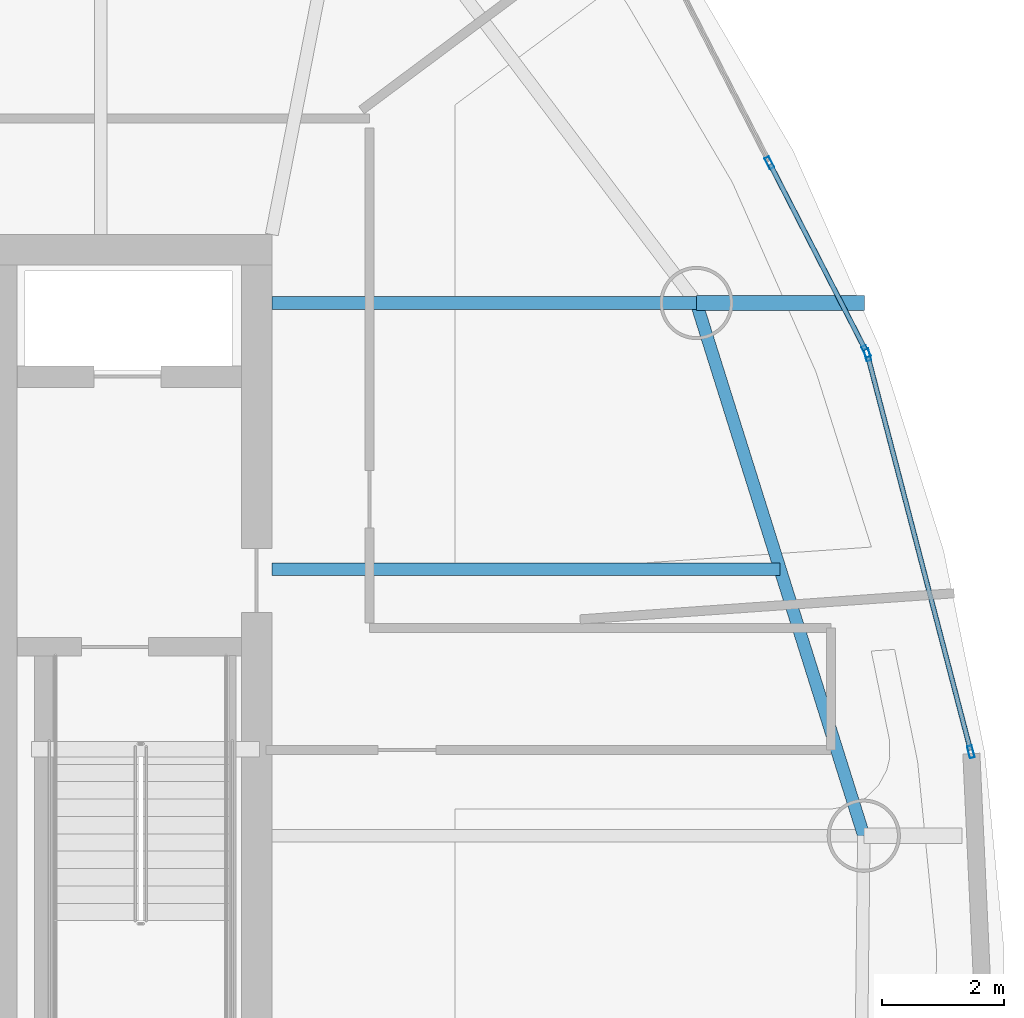
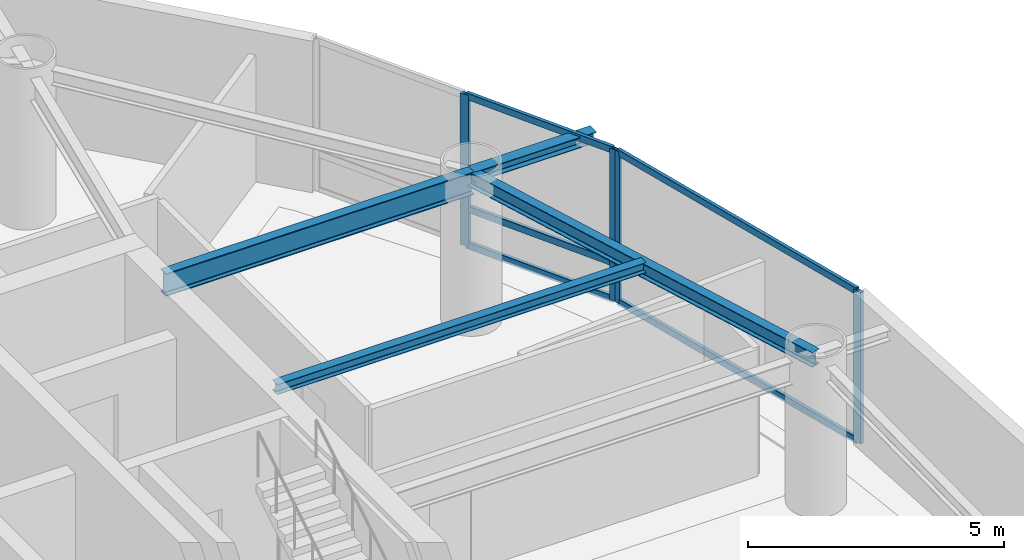
# One storey, part 10 of 23: 9 members, 4 beams, 2 elements without a shape of their own.
"""IFC4 building model written with IfcOpenShell, lengths in metres."""

from ifc_helpers import new_model, si_unit, direction, frame, origin, origin_2d, place, context, subcontext, project, spatial, hollow_rectangle, i_section, extrude, material, layer, layer_set, material_profile, profile_set, type_object, element, aggregate, save


model = new_model("IFC4")

# Units and contexts
model_context = context("Model", 3, precision=1e-05, world=origin(), true_north=direction((0.0, 1.0)))
body_context = subcontext(model_context, "Body", "Model", "MODEL_VIEW")
ifc_project = project(units=[si_unit("LENGTHUNIT", "METRE"), si_unit("AREAUNIT", "SQUARE_METRE"), si_unit("VOLUMEUNIT", "CUBIC_METRE"), si_unit("PLANEANGLEUNIT", "RADIAN"), si_unit("MASSUNIT", "GRAM", prefix="KILO")], contexts=[model_context])

# Site, building, storey
site_placement = place(None, origin())
site = spatial("IfcSite", under=ifc_project, at=site_placement, CompositionType="ELEMENT")
building_placement = place(site_placement, origin())
building = spatial("IfcBuilding", under=site, at=building_placement, Name="Bramvorn Convention Spire", CompositionType="ELEMENT")
storey_placement = place(building_placement, frame((0.0, 0.0, 194.300048828125)))
storey = spatial("IfcBuildingStorey", under=building, at=storey_placement, Name="L49", CompositionType="ELEMENT", Elevation=194.300048828125)

# Beams
ifc_material_1 = material(Name="Steel CSA G40.21 Grade 350 (350W)", Category="steel")
ifc_material_profile_1 = material_profile(ifc_material_1, i_section(OverallWidth=0.201904296875, OverallDepth=0.2470703125, WebThickness=0.00732421875, FlangeThickness=0.010986328125, FilletRadius=0.011962890625, at=origin_2d()))
ifc_profile_set_1 = profile_set([ifc_material_profile_1], Name="Steel CSA G40.21 Grade 350 (350W) - W250X49")
beam_type_1 = type_object("IfcBeamType", Name="BM-W250X49", PredefinedType="JOIST", material=ifc_profile_set_1)
beam_1_placement = place(storey_placement, frame((49.25, 27.960205078125, 3.496337890625), z_axis=(1.0, 0.0, 0.0), x_axis=(0.0, 1.0, 0.0)))
element("IfcBeam", 1, at=beam_1_placement, inside=storey, type_object=beam_type_1, Name="L49 composite floor joist 03", PredefinedType="JOIST", context=body_context, shape_type="SweptSolid", body=[
    extrude(i_section(OverallWidth=0.201904296875, OverallDepth=0.2470703125, WebThickness=0.00732421875, FlangeThickness=0.010986328125, FilletRadius=0.011962890625, at=origin_2d()), origin(), (0.0, 0.0, 1.0), 8.33251953125),
])
ifc_material_profile_2 = material_profile(ifc_material_1, i_section(OverallWidth=0.25390625, OverallDepth=0.2529296875, WebThickness=0.008544921875, FlangeThickness=0.01416015625, FilletRadius=0.011962890625, at=origin_2d()))
ifc_profile_set_2 = profile_set([ifc_material_profile_2], Name="Steel CSA G40.21 Grade 350 (350W) - W250X73")
beam_type_2 = type_object("IfcBeamType", Name="BM-W250X73", PredefinedType="BEAM", material=ifc_profile_set_2)
beam_2_placement = place(storey_placement, frame((56.21044921875, 32.327392578125, 3.493408203125), z_axis=(1.0, 0.0, 0.0), x_axis=(0.0, 1.0, 0.0)))
element("IfcBeam", 2, at=beam_2_placement, inside=storey, type_object=beam_type_2, Name="L49 slab-edge cantilever tip beam MC04", PredefinedType="BEAM", context=body_context, shape_type="SweptSolid", body=[
    extrude(i_section(OverallWidth=0.25390625, OverallDepth=0.2529296875, WebThickness=0.008544921875, FlangeThickness=0.01416015625, FilletRadius=0.011962890625, at=origin_2d()), origin(), (0.0, 0.0, 1.0), 2.75927734375),
])
ifc_material_profile_3 = material_profile(ifc_material_1, i_section(OverallWidth=0.205078125, OverallDepth=0.35400390625, WebThickness=0.009521484375, FlangeThickness=0.016845703125, FilletRadius=0.014892578125, at=origin_2d()))
ifc_profile_set_3 = profile_set([ifc_material_profile_3], Name="Steel CSA G40.21 Grade 350 (350W) - W360X79")
beam_type_3 = type_object("IfcBeamType", Name="BM-W360X79", PredefinedType="JOIST", material=ifc_profile_set_3)
beam_3_placement = place(storey_placement, frame((58.95458984375, 23.593505859375, 3.44287109375), z_axis=(-0.299747542929, 0.954018558786, 0.0), x_axis=(-0.954018558786, -0.299747542929, 0.0)))
element("IfcBeam", 3, at=beam_3_placement, inside=storey, type_object=beam_type_3, Name="L49 mega-column ring beam 03", PredefinedType="JOIST", context=body_context, shape_type="SweptSolid", body=[
    extrude(i_section(OverallWidth=0.205078125, OverallDepth=0.35400390625, WebThickness=0.009521484375, FlangeThickness=0.016845703125, FilletRadius=0.014892578125, at=origin_2d()), origin(), (0.0, 0.0, 1.0), 9.15478515625),
])
ifc_material_profile_4 = material_profile(ifc_material_1, i_section(OverallWidth=0.2119140625, OverallDepth=0.5439453125, WebThickness=0.01318359375, FlangeThickness=0.021240234375, FilletRadius=0.01904296875, at=origin_2d()))
ifc_profile_set_4 = profile_set([ifc_material_profile_4], Name="Steel CSA G40.21 Grade 350 (350W) - W530X123")
beam_type_4 = type_object("IfcBeamType", Name="BM-W530X123", PredefinedType="BEAM", material=ifc_profile_set_4)
beam_4_placement = place(storey_placement, frame((49.25, 32.327392578125, 3.347900390625), z_axis=(1.0, 0.0, 0.0), x_axis=(0.0, 1.0, 0.0)))
element("IfcBeam", 4, at=beam_4_placement, inside=storey, type_object=beam_type_4, Name="L49 radial floor girder MC04", PredefinedType="BEAM", context=body_context, shape_type="SweptSolid", body=[
    extrude(i_section(OverallWidth=0.2119140625, OverallDepth=0.5439453125, WebThickness=0.01318359375, FlangeThickness=0.021240234375, FilletRadius=0.01904296875, at=origin_2d()), origin(), (0.0, 0.0, 1.0), 6.96044921875),
])

# Curtain wall, members
ifc_material_2 = material(Name="Anodised Bronze Unitised Curtain Wall", Category="aluminium")
ifc_layer = layer(ifc_material_2, 0.179931640625)
ifc_layer_set = layer_set([ifc_layer], Name="Anodised Bronze Unitised Curtain Wall - CW-OFF-FRIT")
curtain_wall_type = type_object("IfcCurtainWallType", Name="CW-OFF-FRIT", PredefinedType="USERDEFINED", material=ifc_layer_set)
curtain_wall_1_placement = place(storey_placement, origin())
curtain_wall_1 = element("IfcCurtainWall", 5, at=curtain_wall_1_placement, inside=storey, type_object=curtain_wall_type, Name="L49 fritted glass curtain wall 04", ObjectType="UNITISED CURTAIN WALL", PredefinedType="USERDEFINED")
ifc_material_3 = material(Name="Anodised Bronze Aluminium 6063-T6", Category="aluminium")
ifc_material_profile_5 = material_profile(ifc_material_3, hollow_rectangle(XDim=0.080078125, YDim=0.199951171875, WallThickness=0.00390625, InnerFilletRadius=0.0009765625, OuterFilletRadius=0.00390625, at=origin_2d()))
ifc_profile_set_5 = profile_set([ifc_material_profile_5], Name="Anodised Bronze Aluminium 6063-T6 - CWM80X200")
member_type_1 = type_object("IfcMemberType", Name="CW-MUL-180", PredefinedType="MULLION", material=ifc_profile_set_5)
member_1_placement = place(storey_placement, frame((59.015380859375, 31.476318359375, 0.0), z_axis=(0.0, 0.0, 1.0), x_axis=(0.967719404067, 0.252030067635, 0.0)))
member_1 = element("IfcMember", 6, at=member_1_placement, type_object=member_type_1, Name="CW3 mullion 1", PredefinedType="MULLION", context=body_context, shape_type="SweptSolid", body=[
    extrude(hollow_rectangle(XDim=0.080078125, YDim=0.199951171875, WallThickness=0.00390625, InnerFilletRadius=0.0009765625, OuterFilletRadius=0.00390625, at=origin_2d()), origin(), (0.0, 0.0, 1.0), 3.619873046875),
])
member_2_placement = place(storey_placement, frame((60.710205078125, 24.96875, 0.0), z_axis=(0.0, 0.0, 1.0), x_axis=(0.967719404067, 0.252030067635, 0.0)))
member_2 = element("IfcMember", 7, at=member_2_placement, type_object=member_type_1, Name="CW3 mullion 2", PredefinedType="MULLION", context=body_context, shape_type="SweptSolid", body=[
    extrude(hollow_rectangle(XDim=0.080078125, YDim=0.199951171875, WallThickness=0.00390625, InnerFilletRadius=0.0009765625, OuterFilletRadius=0.00390625, at=origin_2d()), origin(), (0.0, 0.0, 1.0), 3.619873046875),
])

curtain_wall_2_placement = place(storey_placement, origin())
curtain_wall_2 = element("IfcCurtainWall", 8, at=curtain_wall_2_placement, inside=storey, type_object=curtain_wall_type, Name="L49 fritted glass curtain wall 05", ObjectType="UNITISED CURTAIN WALL", PredefinedType="USERDEFINED")
member_3_placement = place(storey_placement, frame((57.40625, 34.627197265625, 0.0), z_axis=(0.0, 0.0, 1.0), x_axis=(0.889742233233, 0.456463315505, 0.0)))
member_3 = element("IfcMember", 9, at=member_3_placement, type_object=member_type_1, Name="CW3 mullion 2", PredefinedType="MULLION", context=body_context, shape_type="SweptSolid", body=[
    extrude(hollow_rectangle(XDim=0.080078125, YDim=0.199951171875, WallThickness=0.00390625, InnerFilletRadius=0.0009765625, OuterFilletRadius=0.00390625, at=origin_2d()), origin(), (0.0, 0.0, 1.0), 3.619873046875),
])
member_4_placement = place(storey_placement, frame((58.994140625, 31.531982421875, 0.0), z_axis=(0.0, 0.0, 1.0), x_axis=(0.889742233233, 0.456463315505, 0.0)))
member_4 = element("IfcMember", 10, at=member_4_placement, type_object=member_type_1, Name="CW3 mullion 3", PredefinedType="MULLION", context=body_context, shape_type="SweptSolid", body=[
    extrude(hollow_rectangle(XDim=0.080078125, YDim=0.199951171875, WallThickness=0.00390625, InnerFilletRadius=0.0009765625, OuterFilletRadius=0.00390625, at=origin_2d()), origin(), (0.0, 0.0, 1.0), 3.619873046875),
])

# Member
ifc_material_profile_6 = material_profile(ifc_material_3, hollow_rectangle(XDim=0.080078125, YDim=0.159912109375, WallThickness=0.00390625, InnerFilletRadius=0.0009765625, OuterFilletRadius=0.00390625, at=origin_2d()))
ifc_profile_set_6 = profile_set([ifc_material_profile_6], Name="Anodised Bronze Aluminium 6063-T6 - CWT80X160")
member_type_2 = type_object("IfcMemberType", Name="CW-TRN-150", PredefinedType="USERDEFINED", material=ifc_profile_set_6)
member_5_placement = place(storey_placement, frame((59.02294921875, 31.447265625, 0.030029296875), z_axis=(0.252031173788, -0.967719115983, 0.0), x_axis=(0.967719115983, 0.252031173788, 0.0)))
member_5 = element("IfcMember", 11, at=member_5_placement, type_object=member_type_2, Name="CW3 transom 1.1", ObjectType="TRANSOM", PredefinedType="USERDEFINED", context=body_context, shape_type="SweptSolid", body=[
    extrude(hollow_rectangle(XDim=0.080078125, YDim=0.159912109375, WallThickness=0.00390625, InnerFilletRadius=0.0009765625, OuterFilletRadius=0.00390625, at=origin_2d()), origin(), (0.0, 0.0, 1.0), 6.66455078125),
])

member_6_placement = place(storey_placement, frame((59.02294921875, 31.447265625, 3.58984375), z_axis=(0.252031173788, -0.967719115983, 0.0), x_axis=(0.967719115983, 0.252031173788, 0.0)))
member_6 = element("IfcMember", 12, at=member_6_placement, type_object=member_type_2, Name="CW3 transom 1.2", ObjectType="TRANSOM", PredefinedType="USERDEFINED", context=body_context, shape_type="SweptSolid", body=[
    extrude(hollow_rectangle(XDim=0.080078125, YDim=0.159912109375, WallThickness=0.00390625, InnerFilletRadius=0.0009765625, OuterFilletRadius=0.00390625, at=origin_2d()), origin(), (0.0, 0.0, 1.0), 6.66455078125),
])

aggregate(curtain_wall_1, [member_1, member_2, member_5, member_6])

member_7_placement = place(storey_placement, frame((57.419921875, 34.6005859375, 0.030029296875), z_axis=(0.456444219458, -0.889752029794, 0.0), x_axis=(0.889752029794, 0.456444219458, 0.0)))
member_7 = element("IfcMember", 13, at=member_7_placement, type_object=member_type_2, Name="CW3 transom 2.1", ObjectType="TRANSOM", PredefinedType="USERDEFINED", context=body_context, shape_type="SweptSolid", body=[
    extrude(hollow_rectangle(XDim=0.080078125, YDim=0.159912109375, WallThickness=0.00390625, InnerFilletRadius=0.0009765625, OuterFilletRadius=0.00390625, at=origin_2d()), origin(), (0.0, 0.0, 1.0), 3.4189453125),
])

member_8_placement = place(storey_placement, frame((57.419921875, 34.6005859375, 0.89990234375), z_axis=(0.456444219458, -0.889752029794, 0.0), x_axis=(0.889752029794, 0.456444219458, 0.0)))
member_8 = element("IfcMember", 14, at=member_8_placement, type_object=member_type_2, Name="CW3 transom 2.2", ObjectType="TRANSOM", PredefinedType="USERDEFINED", context=body_context, shape_type="SweptSolid", body=[
    extrude(hollow_rectangle(XDim=0.080078125, YDim=0.159912109375, WallThickness=0.00390625, InnerFilletRadius=0.0009765625, OuterFilletRadius=0.00390625, at=origin_2d()), origin(), (0.0, 0.0, 1.0), 3.4189453125),
])

member_9_placement = place(storey_placement, frame((57.419921875, 34.6005859375, 3.58984375), z_axis=(0.456444219458, -0.889752029794, 0.0), x_axis=(0.889752029794, 0.456444219458, 0.0)))
member_9 = element("IfcMember", 15, at=member_9_placement, type_object=member_type_2, Name="CW3 transom 2.3", ObjectType="TRANSOM", PredefinedType="USERDEFINED", context=body_context, shape_type="SweptSolid", body=[
    extrude(hollow_rectangle(XDim=0.080078125, YDim=0.159912109375, WallThickness=0.00390625, InnerFilletRadius=0.0009765625, OuterFilletRadius=0.00390625, at=origin_2d()), origin(), (0.0, 0.0, 1.0), 3.4189453125),
])

aggregate(curtain_wall_2, [member_3, member_4, member_7, member_8, member_9])

save(model, "model.ifc")
